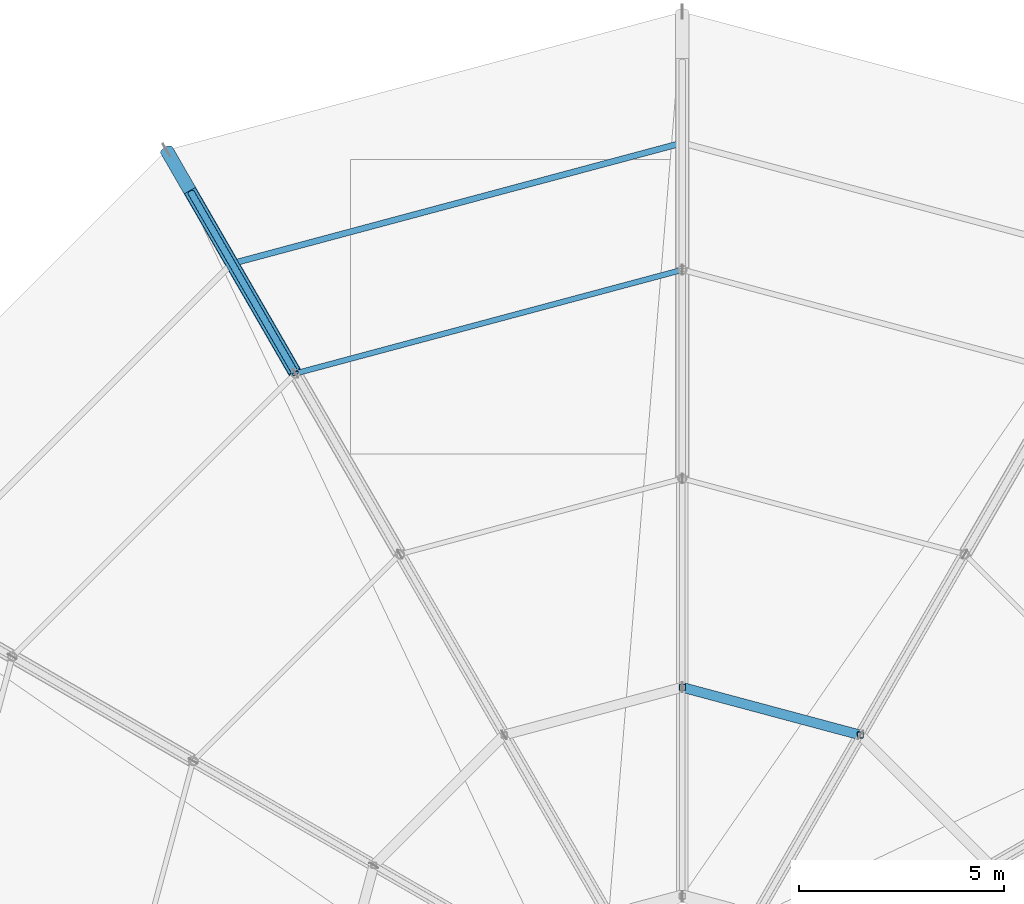
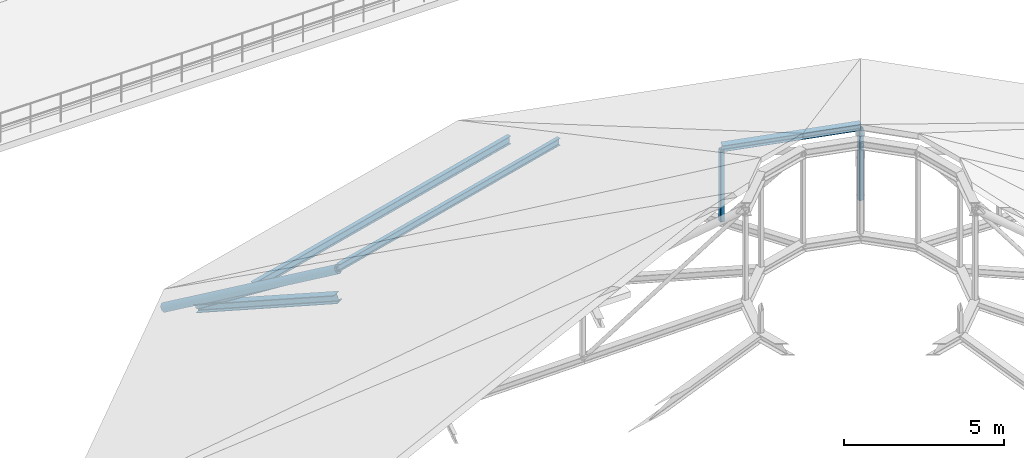
# One storey, part 24 of 58: 8 members.
"""IFC4 building model written with IfcOpenShell, lengths in metres."""

from ifc_helpers import new_model, si_unit, derived_unit, direction, frame, origin, origin_2d, place, context, subcontext, project, spatial, hollow_rectangle, hollow_circle, i_section, extrude, material, material_profile, profile_set, type_object, element, save


model = new_model("IFC4")

# Units and contexts
model_context = context("Model", 3, precision=1e-05, world=origin(), true_north=direction((0.0, 1.0)))
body_context = subcontext(model_context, "Body", "Model", "MODEL_VIEW")
ifc_project = project(units=[si_unit("LENGTHUNIT", "METRE"), si_unit("AREAUNIT", "SQUARE_METRE"), si_unit("VOLUMEUNIT", "CUBIC_METRE"), si_unit("PLANEANGLEUNIT", "RADIAN"), si_unit("MASSUNIT", "GRAM", prefix="KILO"), derived_unit("THERMALTRANSMITTANCEUNIT", [(si_unit("POWERUNIT", "WATT"), 1), (si_unit("AREAUNIT", "SQUARE_METRE"), -1), (si_unit("THERMODYNAMICTEMPERATUREUNIT", "KELVIN"), -1)])], contexts=[model_context])

# Site, building, storey
site_placement = place(None, origin())
site = spatial("IfcSite", under=ifc_project, at=site_placement, CompositionType="ELEMENT")
building_placement = place(site_placement, origin())
building = spatial("IfcBuilding", under=site, at=building_placement, Name="Yasenodar Specialist Clinic", CompositionType="ELEMENT")
storey_placement = place(building_placement, frame((0.0, 0.0, 21.300048828125)))
storey = spatial("IfcBuildingStorey", under=building, at=storey_placement, Name="L05", CompositionType="ELEMENT", Elevation=21.300048828125)

# Members
ifc_material = material(Name="Steel S355", Category="steel")
ifc_material_profile_1 = material_profile(ifc_material, i_section(OverallWidth=0.239990234375, OverallDepth=0.22998046875, WebThickness=0.007568359375, FlangeThickness=0.011962890625, FilletRadius=0.02099609375, at=origin_2d()), Name="HEA 240")
ifc_profile_set_1 = profile_set([ifc_material_profile_1], Name="Steel S355")
member_type_1 = type_object("IfcMemberType", Name="PR-HEA240", PredefinedType="PURLIN", material=ifc_profile_set_1)
member_1_placement = place(storey_placement, frame((85.35009765625, 66.33447265625, 8.98486328125), z_axis=(-0.965930145555, 0.258802924845, 0.0), x_axis=(-0.258802924845, -0.965930145555, 0.0)))
element("IfcMember", 1, at=member_1_placement, inside=storey, type_object=member_type_1, Name="Drum Roof Concentric Purlin 4.03", PredefinedType="PURLIN", context=body_context, shape_type="SweptSolid", body=[
    extrude(i_section(OverallWidth=0.239990234375, OverallDepth=0.22998046875, WebThickness=0.007568359375, FlangeThickness=0.011962890625, FilletRadius=0.02099609375, at=origin_2d()), origin(), (0.0, 0.0, 1.0), 4.50341796875),
])
ifc_material_profile_2 = material_profile(ifc_material, i_section(OverallWidth=0.135009765625, OverallDepth=0.27001953125, WebThickness=0.006591796875, FlangeThickness=0.01025390625, FilletRadius=0.014892578125, at=origin_2d()), Name="IPE 270")
ifc_profile_set_2 = profile_set([ifc_material_profile_2], Name="Steel S355")
member_type_2 = type_object("IfcMemberType", Name="PR-IPE270", PredefinedType="PURLIN", material=ifc_profile_set_2)
member_2_placement = place(storey_placement, frame((81.0, 77.699951171875, 3.034912109375), z_axis=(-0.965929004168, -0.258807184805, 0.0), x_axis=(0.258807184805, -0.965929004168, 0.0)))
element("IfcMember", 2, at=member_2_placement, inside=storey, type_object=member_type_2, Name="Drum Roof Concentric Purlin 2.04", PredefinedType="PURLIN", context=body_context, shape_type="SweptSolid", body=[
    extrude(i_section(OverallWidth=0.135009765625, OverallDepth=0.27001953125, WebThickness=0.006591796875, FlangeThickness=0.01025390625, FilletRadius=0.014892578125, at=origin_2d()), origin(), (0.0, 0.0, 1.0), 9.783203125),
])
ifc_material_profile_3 = material_profile(ifc_material, i_section(OverallWidth=0.14990234375, OverallDepth=0.300048828125, WebThickness=0.007080078125, FlangeThickness=0.0107421875, FilletRadius=0.014892578125, at=origin_2d()), Name="IPE 300")
ifc_profile_set_3 = profile_set([ifc_material_profile_3], Name="Steel S355")
member_type_3 = type_object("IfcMemberType", Name="PR-IPE300", PredefinedType="PURLIN", material=ifc_profile_set_3)
member_3_placement = place(storey_placement, frame((81.0, 80.800048828125, 1.2265625), z_axis=(-0.965924319236, -0.258824669437, 0.0), x_axis=(0.258824669437, -0.965924319236, 0.0)))
element("IfcMember", 3, at=member_3_placement, inside=storey, type_object=member_type_3, Name="Drum Roof Concentric Purlin 1.04", PredefinedType="PURLIN", context=body_context, shape_type="SweptSolid", body=[
    extrude(i_section(OverallWidth=0.14990234375, OverallDepth=0.300048828125, WebThickness=0.007080078125, FlangeThickness=0.0107421875, FilletRadius=0.014892578125, at=origin_2d()), origin(), (0.0, 0.0, 1.0), 11.387939453125),
])
ifc_material_profile_4 = material_profile(ifc_material, hollow_circle(Radius=0.084228515625, WallThickness=0.008056640625, at=origin_2d()), Name="CHS 168.3x8")
ifc_profile_set_4 = profile_set([ifc_material_profile_4], Name="Steel S355")
member_type_4 = type_object("IfcMemberType", Name="TR-BRC-CHS168", PredefinedType="BRACE", material=ifc_profile_set_4)
member_4_placement = place(storey_placement, frame((69.0, 79.584716796875, -0.25), z_axis=(0.422607893936, -0.731967391976, 0.534440179128), x_axis=(0.86602216432, 0.500005610874, 0.0)))
element("IfcMember", 4, at=member_4_placement, inside=storey, type_object=member_type_4, Name="Drum Roof Truss 05 Web Diagonal 1", PredefinedType="BRACE", context=body_context, shape_type="SweptSolid", body=[
    extrude(hollow_circle(Radius=0.084228515625, WallThickness=0.008056640625, at=origin_2d()), origin(), (0.0, 0.0, 1.0), 6.0341796875),
])
ifc_material_profile_5 = material_profile(ifc_material, hollow_circle(Radius=0.161865234375, WallThickness=0.01611328125, at=origin_2d()), Name="CHS 323.9x16")
ifc_profile_set_5 = profile_set([ifc_material_profile_5], Name="Steel S355")
member_type_5 = type_object("IfcMemberType", Name="TR-CHD-CHS324", PredefinedType="CHORD", material=ifc_profile_set_5)
member_5_placement = place(storey_placement, frame((68.39990234375, 80.623779296875, -0.699951171875), z_axis=(0.431918238356, -0.748049048481, 0.503854400042), x_axis=(0.866009402589, 0.500027713859, 0.0)))
element("IfcMember", 5, at=member_5_placement, inside=storey, type_object=member_type_5, Name="Drum Roof Truss 05 Top Chord 1", PredefinedType="CHORD", context=body_context, shape_type="SweptSolid", body=[
    extrude(hollow_circle(Radius=0.161865234375, WallThickness=0.01611328125, at=origin_2d()), origin(), (0.0, 0.0, 1.0), 7.29345703125),
])
ifc_material_profile_6 = material_profile(ifc_material, i_section(OverallWidth=0.300048828125, OverallDepth=0.300048828125, WebThickness=0.010986328125, FlangeThickness=0.01904296875, FilletRadius=0.027099609375, at=origin_2d()), Name="HEB 300")
ifc_profile_set_6 = profile_set([ifc_material_profile_6], Name="Steel S355")
member_type_6 = type_object("IfcMemberType", Name="TR-CHD-HEB300", PredefinedType="CHORD", material=ifc_profile_set_6)
member_6_placement = place(storey_placement, frame((69.0, 79.584716796875, -0.25), z_axis=(0.461143484467, -0.798711994016, 0.38653051283), x_axis=(0.86602216432, 0.500005610874, 0.0)))
element("IfcMember", 6, at=member_6_placement, inside=storey, type_object=member_type_6, Name="Drum Roof Truss 05 Bottom Chord 1", PredefinedType="CHORD", context=body_context, shape_type="SweptSolid", body=[
    extrude(i_section(OverallWidth=0.300048828125, OverallDepth=0.300048828125, WebThickness=0.010986328125, FlangeThickness=0.01904296875, FilletRadius=0.027099609375, at=origin_2d()), origin(), (0.0, 0.0, 1.0), 5.52978515625),
])
ifc_material_profile_7 = material_profile(ifc_material, hollow_rectangle(XDim=0.14990234375, YDim=0.14990234375, WallThickness=0.008056640625, InnerFilletRadius=0.011962890625, OuterFilletRadius=0.02001953125, at=origin_2d()), Name="SHS 150x150x8")
ifc_profile_set_7 = profile_set([ifc_material_profile_7], Name="Steel S355")
member_type_7 = type_object("IfcMemberType", Name="TR-STR-SHS150", PredefinedType="STRUT", material=ifc_profile_set_7)
for number, where, z_axis, x_axis, name in (
    (7, (85.35009765625, 66.33447265625, 6.162353515625), (0.0, 0.0, 1.0), (1.0, 0.0, 0.0), "Drum Roof Truss 03 Strut 3"),
    (8, (81.0, 67.5, 6.162353515625), (0.0, 0.0, 1.0), (1.0, 0.0, 0.0), "Drum Roof Truss 04 Strut 3"),
):
    element("IfcMember", number, at=place(storey_placement, frame(where, z_axis=z_axis, x_axis=x_axis)), inside=storey, type_object=member_type_7, Name=name, PredefinedType="STRUT", context=body_context, shape_type="SweptSolid", body=[
        extrude(hollow_rectangle(XDim=0.14990234375, YDim=0.14990234375, WallThickness=0.008056640625, InnerFilletRadius=0.011962890625, OuterFilletRadius=0.02001953125, at=origin_2d()), origin(), (0.0, 0.0, 1.0), 2.7626953125),
    ])

save(model, "model.ifc")
